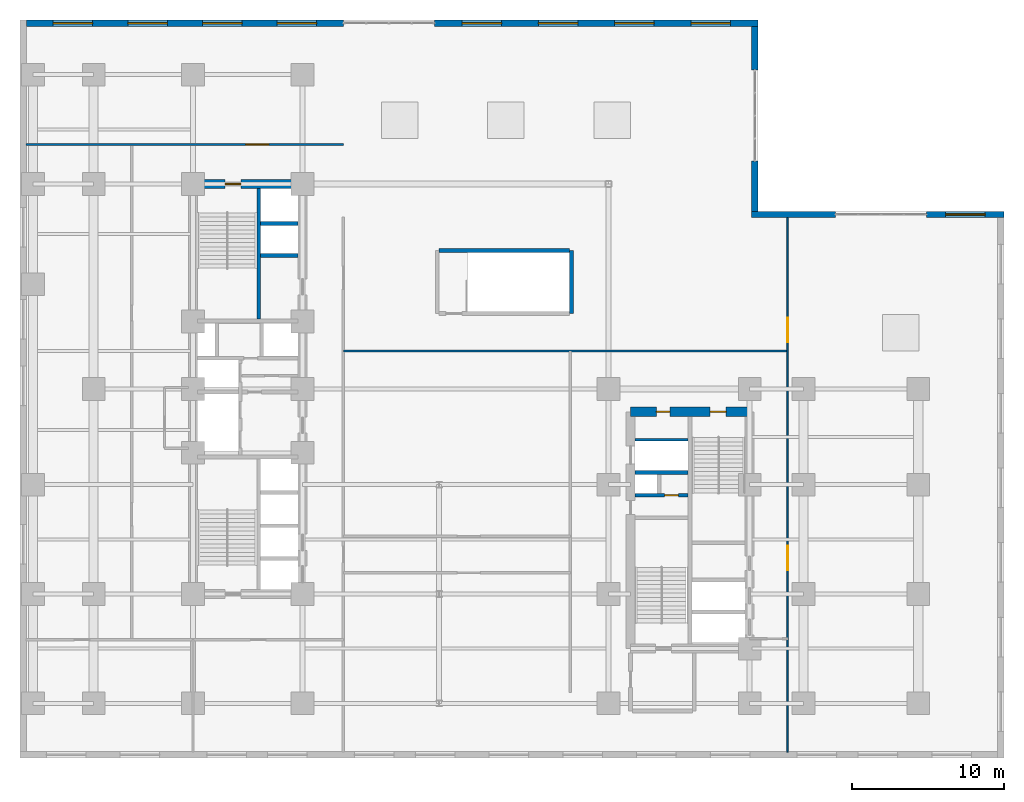
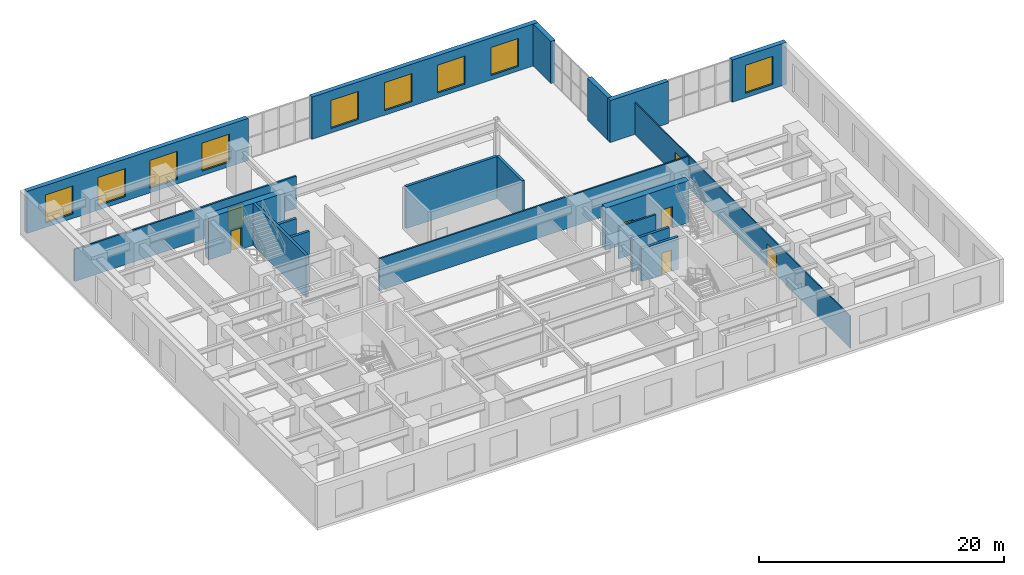
# One storey, part 10 of 14: 19 walls, 9 windows, 7 doors, 16 openings.
"""IFC4 building model written with IfcOpenShell, lengths in metres."""

from ifc_helpers import new_model, entity, si_unit, converted_unit, direction, frame, origin_with_axes, origin_2d_with_axis, place, context, subcontext, project, spatial, polyline, rectangle, outline, extrude, material, layer, layer_set, type_object, element, fill, save


model = new_model("IFC4")

# Units and contexts
model_context = context("Model", 3, precision=1e-05, world=origin_with_axes(), true_north=direction((0.0, 1.0)))
body_context = subcontext(model_context, "Body", "Model", "MODEL_VIEW")
ifc_project = project(units=[si_unit("LENGTHUNIT", "METRE"), si_unit("AREAUNIT", "SQUARE_METRE"), si_unit("VOLUMEUNIT", "CUBIC_METRE"), converted_unit("PLANEANGLEUNIT", "DEGREE", entity("IfcPlaneAngleMeasure", 0.017453292519943295), si_unit("PLANEANGLEUNIT", "RADIAN"), dimensions=[0, 0, 0, 0, 0, 0, 0]), si_unit("MASSUNIT", "GRAM", prefix="KILO"), si_unit("THERMODYNAMICTEMPERATUREUNIT", "KELVIN")], contexts=[model_context])

# Site, building, storey
site_placement = place(None, origin_with_axes())
site = spatial("IfcSite", under=ifc_project, at=site_placement, CompositionType="ELEMENT")
building_placement = place(site_placement, origin_with_axes())
building = spatial("IfcBuilding", under=site, at=building_placement, Name="Varnlund Millrace Tower", CompositionType="ELEMENT")
storey_placement = place(building_placement, frame((0.0, 0.0, 24.3), z_axis=(0.0, 0.0, 1.0), x_axis=(1.0, 0.0, 0.0)))
storey = spatial("IfcBuildingStorey", under=building, at=storey_placement, Name="L05", CompositionType="ELEMENT", Elevation=24.3)

# Wall, opening, door
ifc_material_1 = material(Name="Concrete C80/95", Category="concrete")
ifc_layer_1 = layer(ifc_material_1, 0.6, Name="Concrete C80/95")
ifc_layer_set_1 = layer_set([ifc_layer_1], Name="Concrete C80/95")
wall_type_1 = type_object("IfcWallType", Name="Type-CoreWall-Shear-600-C80", PredefinedType="SHEAR", material=ifc_layer_set_1)
wall_1_placement = place(storey_placement, frame((11.4, 37.8, 0.0), z_axis=(0.0, 0.0, 1.0), x_axis=(1.0, 0.0, 0.0)))
wall_1 = element("IfcWall", 1, at=wall_1_placement, inside=storey, type_object=wall_type_1, Name="Type-CoreWall-Shear-600-C80", PredefinedType="SHEAR", context=body_context, shape_type="SweptSolid", body=[
    extrude(outline(polyline([(0.0, -0.3), (7.2, -0.3), (7.2, 0.3), (0.0, 0.3), (0.0, -0.3)])), origin_with_axes(), (0.0, 0.0, 1.0), 4.2),
])
opening_1_placement = place(wall_1_placement, frame((2.625, 0.0, 0.0), z_axis=(0.0, 0.0, 1.0), x_axis=(1.0, 0.0, 0.0)))
opening_1 = element("IfcOpeningElement", 2, at=opening_1_placement, cuts=wall_1, Name="Opening L05:DR-STA2", PredefinedType="OPENING", context=body_context, shape_type="SweptSolid", body=[
    extrude(rectangle(XDim=1.05, YDim=0.62, at=origin_2d_with_axis()), origin_with_axes(), (0.0, 0.0, 1.0), 2.15),
])
ifc_material_2 = material(Name="Fire-rated hollow steel door", Category="steel")
door_type_1 = type_object("IfcDoorType", Name="Type-FireDoor-Stair-1050X2150", OperationType="NOTDEFINED", PredefinedType="DOOR", material=ifc_material_2)
door_1_placement = place(wall_1_placement, frame((2.625, 0.0, 0.0), z_axis=(0.0, 0.0, 1.0), x_axis=(1.0, 0.0, 0.0)))
door_1 = element("IfcDoor", 3, at=door_1_placement, inside=storey, type_object=door_type_1, Name="Type-FireDoor-Stair-1050X2150", OperationType="SINGLE_SWING_RIGHT", OverallHeight=2.15, OverallWidth=1.05, PredefinedType="DOOR", context=body_context, shape_type="SweptSolid", body=[
    extrude(rectangle(XDim=1.05, YDim=0.09, at=origin_2d_with_axis()), origin_with_axes(), (0.0, 0.0, 1.0), 2.15),
])
fill(opening_1, door_1)

# Wall, openings, doors
wall_2_placement = place(storey_placement, frame((40.2, 22.8, 0.0), z_axis=(0.0, 0.0, 1.0), x_axis=(1.0, 0.0, 0.0)))
wall_2 = element("IfcWall", 4, at=wall_2_placement, inside=storey, type_object=wall_type_1, Name="Type-CoreWall-Shear-600-C80", PredefinedType="SHEAR", context=body_context, shape_type="SweptSolid", body=[
    extrude(outline(polyline([(0.0, -0.3), (7.85, -0.3), (7.85, 0.3), (0.0, 0.3), (0.0, -0.3)])), origin_with_axes(), (0.0, 0.0, 1.0), 4.2),
])
opening_2_placement = place(wall_2_placement, frame((5.775, 0.0, 0.0), z_axis=(0.0, 0.0, 1.0), x_axis=(1.0, 0.0, 0.0)))
opening_2 = element("IfcOpeningElement", 5, at=opening_2_placement, cuts=wall_2, Name="Opening L05:DR-STB2", PredefinedType="OPENING", context=body_context, shape_type="SweptSolid", body=[
    extrude(rectangle(XDim=1.05, YDim=0.62, at=origin_2d_with_axis()), origin_with_axes(), (0.0, 0.0, 1.0), 2.15),
])
opening_3_placement = place(wall_2_placement, frame((2.15, 0.0, 0.0), z_axis=(0.0, 0.0, 1.0), x_axis=(1.0, 0.0, 0.0)))
opening_3 = element("IfcOpeningElement", 6, at=opening_3_placement, cuts=wall_2, Name="Opening L05:DR-CB-NW", PredefinedType="OPENING", context=body_context, shape_type="SweptSolid", body=[
    extrude(rectangle(XDim=0.9, YDim=0.62, at=origin_2d_with_axis()), origin_with_axes(), (0.0, 0.0, 1.0), 2.15),
])
ifc_material_3 = material(Name="Fire-rated hollow steel service closet door", Category="steel")
door_type_2 = type_object("IfcDoorType", Name="Type-FireDoor-Closet-900X2150", OperationType="NOTDEFINED", PredefinedType="DOOR", material=ifc_material_3)
door_2_placement = place(wall_2_placement, frame((2.15, 0.0, 0.0), z_axis=(0.0, 0.0, 1.0), x_axis=(1.0, 0.0, 0.0)))
door_2 = element("IfcDoor", 7, at=door_2_placement, inside=storey, type_object=door_type_2, Name="Type-FireDoor-Closet-900X2150", OperationType="SINGLE_SWING_LEFT", OverallHeight=2.15, OverallWidth=0.9, PredefinedType="DOOR", context=body_context, shape_type="SweptSolid", body=[
    extrude(rectangle(XDim=0.9, YDim=0.09, at=origin_2d_with_axis()), origin_with_axes(), (0.0, 0.0, 1.0), 2.15),
])
fill(opening_3, door_2)
door_3_placement = place(wall_2_placement, frame((5.775, 0.0, 0.0), z_axis=(0.0, 0.0, 1.0), x_axis=(1.0, 0.0, 0.0)))
door_3 = element("IfcDoor", 8, at=door_3_placement, inside=storey, type_object=door_type_1, Name="Type-FireDoor-Stair-1050X2150", OperationType="SINGLE_SWING_RIGHT", OverallHeight=2.15, OverallWidth=1.05, PredefinedType="DOOR", context=body_context, shape_type="SweptSolid", body=[
    extrude(rectangle(XDim=1.05, YDim=0.09, at=origin_2d_with_axis()), origin_with_axes(), (0.0, 0.0, 1.0), 2.15),
])
fill(opening_2, door_3)

# Wall, openings, windows
ifc_material_4 = material(Name="Precast concrete C50/60", Category="concrete")
ifc_layer_2 = layer(ifc_material_4, 0.42, Name="Precast concrete C50/60")
ifc_layer_set_2 = layer_set([ifc_layer_2], Name="Precast concrete C50/60")
wall_type_2 = type_object("IfcWallType", Name="Type-ExtWall-Precast-Pier-420", PredefinedType="SOLIDWALL", material=ifc_layer_set_2)
wall_3_placement = place(storey_placement, frame((0.42, 48.39, 0.0), z_axis=(0.0, 0.0, 1.0), x_axis=(1.0, 0.0, 0.0)))
wall_3 = element("IfcWall", 9, at=wall_3_placement, inside=storey, type_object=wall_type_2, Name="Type-ExtWall-Precast-Pier-420", PredefinedType="SOLIDWALL", context=body_context, shape_type="SweptSolid", body=[
    extrude(outline(polyline([(0.0, -0.21), (20.88, -0.21), (20.88, 0.21), (0.0, 0.21), (0.0, -0.21)])), origin_with_axes(), (0.0, 0.0, 1.0), 4.2),
])
opening_4_placement = place(wall_3_placement, frame((3.06, 0.0, 0.45), z_axis=(0.0, 0.0, 1.0), x_axis=(1.0, 0.0, 0.0)))
opening_4 = element("IfcOpeningElement", 10, at=opening_4_placement, cuts=wall_3, Name="Opening L05:WN-18", PredefinedType="OPENING", context=body_context, shape_type="SweptSolid", body=[
    extrude(rectangle(XDim=2.6, YDim=0.44, at=origin_2d_with_axis()), origin_with_axes(), (0.0, 0.0, 1.0), 2.8),
])
opening_5_placement = place(wall_3_placement, frame((7.98, 0.0, 0.45), z_axis=(0.0, 0.0, 1.0), x_axis=(1.0, 0.0, 0.0)))
opening_5 = element("IfcOpeningElement", 11, at=opening_5_placement, cuts=wall_3, Name="Opening L05:WN-19", PredefinedType="OPENING", context=body_context, shape_type="SweptSolid", body=[
    extrude(rectangle(XDim=2.6, YDim=0.44, at=origin_2d_with_axis()), origin_with_axes(), (0.0, 0.0, 1.0), 2.8),
])
opening_6_placement = place(wall_3_placement, frame((12.9, 0.0, 0.45), z_axis=(0.0, 0.0, 1.0), x_axis=(1.0, 0.0, 0.0)))
opening_6 = element("IfcOpeningElement", 12, at=opening_6_placement, cuts=wall_3, Name="Opening L05:WN-20", PredefinedType="OPENING", context=body_context, shape_type="SweptSolid", body=[
    extrude(rectangle(XDim=2.6, YDim=0.44, at=origin_2d_with_axis()), origin_with_axes(), (0.0, 0.0, 1.0), 2.8),
])
opening_7_placement = place(wall_3_placement, frame((17.82, 0.0, 0.45), z_axis=(0.0, 0.0, 1.0), x_axis=(1.0, 0.0, 0.0)))
opening_7 = element("IfcOpeningElement", 13, at=opening_7_placement, cuts=wall_3, Name="Opening L05:WN-21", PredefinedType="OPENING", context=body_context, shape_type="SweptSolid", body=[
    extrude(rectangle(XDim=2.6, YDim=0.44, at=origin_2d_with_axis()), origin_with_axes(), (0.0, 0.0, 1.0), 2.8),
])
ifc_material_5 = material(Name="Argon low-e triple glazing in thermally broken bronze frame", Category="glass")
window_type = type_object("IfcWindowType", Name="Type-Window-Podium-2600X2800", PartitioningType="SINGLE_PANEL", PredefinedType="WINDOW", material=ifc_material_5)
window_1_placement = place(wall_3_placement, frame((3.06, 0.0, 0.45), z_axis=(0.0, 0.0, 1.0), x_axis=(1.0, 0.0, 0.0)))
window_1 = element("IfcWindow", 14, at=window_1_placement, inside=storey, type_object=window_type, Name="Type-Window-Podium-2600X2800", OverallHeight=2.8, OverallWidth=2.6, PredefinedType="WINDOW", context=body_context, shape_type="SweptSolid", body=[
    extrude(rectangle(XDim=2.6, YDim=0.09, at=origin_2d_with_axis()), origin_with_axes(), (0.0, 0.0, 1.0), 2.8),
])
fill(opening_4, window_1)
window_2_placement = place(wall_3_placement, frame((7.98, 0.0, 0.45), z_axis=(0.0, 0.0, 1.0), x_axis=(1.0, 0.0, 0.0)))
window_2 = element("IfcWindow", 15, at=window_2_placement, inside=storey, type_object=window_type, Name="Type-Window-Podium-2600X2800", OverallHeight=2.8, OverallWidth=2.6, PredefinedType="WINDOW", context=body_context, shape_type="SweptSolid", body=[
    extrude(rectangle(XDim=2.6, YDim=0.09, at=origin_2d_with_axis()), origin_with_axes(), (0.0, 0.0, 1.0), 2.8),
])
fill(opening_5, window_2)
window_3_placement = place(wall_3_placement, frame((12.9, 0.0, 0.45), z_axis=(0.0, 0.0, 1.0), x_axis=(1.0, 0.0, 0.0)))
window_3 = element("IfcWindow", 16, at=window_3_placement, inside=storey, type_object=window_type, Name="Type-Window-Podium-2600X2800", OverallHeight=2.8, OverallWidth=2.6, PredefinedType="WINDOW", context=body_context, shape_type="SweptSolid", body=[
    extrude(rectangle(XDim=2.6, YDim=0.09, at=origin_2d_with_axis()), origin_with_axes(), (0.0, 0.0, 1.0), 2.8),
])
fill(opening_6, window_3)
window_4_placement = place(wall_3_placement, frame((17.82, 0.0, 0.45), z_axis=(0.0, 0.0, 1.0), x_axis=(1.0, 0.0, 0.0)))
window_4 = element("IfcWindow", 17, at=window_4_placement, inside=storey, type_object=window_type, Name="Type-Window-Podium-2600X2800", OverallHeight=2.8, OverallWidth=2.6, PredefinedType="WINDOW", context=body_context, shape_type="SweptSolid", body=[
    extrude(rectangle(XDim=2.6, YDim=0.09, at=origin_2d_with_axis()), origin_with_axes(), (0.0, 0.0, 1.0), 2.8),
])
fill(opening_7, window_4)

wall_4_placement = place(storey_placement, frame((27.3, 48.39, 0.0), z_axis=(0.0, 0.0, 1.0), x_axis=(1.0, 0.0, 0.0)))
wall_4 = element("IfcWall", 18, at=wall_4_placement, inside=storey, type_object=wall_type_2, Name="Type-ExtWall-Precast-Pier-420", PredefinedType="SOLIDWALL", context=body_context, shape_type="SweptSolid", body=[
    extrude(outline(polyline([(0.0, -0.21), (21.3, -0.21), (21.3, 0.21), (0.0, 0.21), (0.0, -0.21)])), origin_with_axes(), (0.0, 0.0, 1.0), 4.2),
])
opening_8_placement = place(wall_4_placement, frame((3.113, 0.0, 0.45), z_axis=(0.0, 0.0, 1.0), x_axis=(1.0, 0.0, 0.0)))
opening_8 = element("IfcOpeningElement", 19, at=opening_8_placement, cuts=wall_4, Name="Opening L05:WN-22", PredefinedType="OPENING", context=body_context, shape_type="SweptSolid", body=[
    extrude(rectangle(XDim=2.6, YDim=0.44, at=origin_2d_with_axis()), origin_with_axes(), (0.0, 0.0, 1.0), 2.8),
])
opening_9_placement = place(wall_4_placement, frame((8.138, 0.0, 0.45), z_axis=(0.0, 0.0, 1.0), x_axis=(1.0, 0.0, 0.0)))
opening_9 = element("IfcOpeningElement", 20, at=opening_9_placement, cuts=wall_4, Name="Opening L05:WN-23", PredefinedType="OPENING", context=body_context, shape_type="SweptSolid", body=[
    extrude(rectangle(XDim=2.6, YDim=0.44, at=origin_2d_with_axis()), origin_with_axes(), (0.0, 0.0, 1.0), 2.8),
])
opening_10_placement = place(wall_4_placement, frame((13.162, 0.0, 0.45), z_axis=(0.0, 0.0, 1.0), x_axis=(1.0, 0.0, 0.0)))
opening_10 = element("IfcOpeningElement", 21, at=opening_10_placement, cuts=wall_4, Name="Opening L05:WN-24", PredefinedType="OPENING", context=body_context, shape_type="SweptSolid", body=[
    extrude(rectangle(XDim=2.6, YDim=0.44, at=origin_2d_with_axis()), origin_with_axes(), (0.0, 0.0, 1.0), 2.8),
])
opening_11_placement = place(wall_4_placement, frame((18.188, 0.0, 0.45), z_axis=(0.0, 0.0, 1.0), x_axis=(1.0, 0.0, 0.0)))
opening_11 = element("IfcOpeningElement", 22, at=opening_11_placement, cuts=wall_4, Name="Opening L05:WN-25", PredefinedType="OPENING", context=body_context, shape_type="SweptSolid", body=[
    extrude(rectangle(XDim=2.6, YDim=0.44, at=origin_2d_with_axis()), origin_with_axes(), (0.0, 0.0, 1.0), 2.8),
])
window_5_placement = place(wall_4_placement, frame((3.113, 0.0, 0.45), z_axis=(0.0, 0.0, 1.0), x_axis=(1.0, 0.0, 0.0)))
window_5 = element("IfcWindow", 23, at=window_5_placement, inside=storey, type_object=window_type, Name="Type-Window-Podium-2600X2800", OverallHeight=2.8, OverallWidth=2.6, PredefinedType="WINDOW", context=body_context, shape_type="SweptSolid", body=[
    extrude(rectangle(XDim=2.6, YDim=0.09, at=origin_2d_with_axis()), origin_with_axes(), (0.0, 0.0, 1.0), 2.8),
])
fill(opening_8, window_5)
window_6_placement = place(wall_4_placement, frame((8.138, 0.0, 0.45), z_axis=(0.0, 0.0, 1.0), x_axis=(1.0, 0.0, 0.0)))
window_6 = element("IfcWindow", 24, at=window_6_placement, inside=storey, type_object=window_type, Name="Type-Window-Podium-2600X2800", OverallHeight=2.8, OverallWidth=2.6, PredefinedType="WINDOW", context=body_context, shape_type="SweptSolid", body=[
    extrude(rectangle(XDim=2.6, YDim=0.09, at=origin_2d_with_axis()), origin_with_axes(), (0.0, 0.0, 1.0), 2.8),
])
fill(opening_9, window_6)
window_7_placement = place(wall_4_placement, frame((13.162, 0.0, 0.45), z_axis=(0.0, 0.0, 1.0), x_axis=(1.0, 0.0, 0.0)))
window_7 = element("IfcWindow", 25, at=window_7_placement, inside=storey, type_object=window_type, Name="Type-Window-Podium-2600X2800", OverallHeight=2.8, OverallWidth=2.6, PredefinedType="WINDOW", context=body_context, shape_type="SweptSolid", body=[
    extrude(rectangle(XDim=2.6, YDim=0.09, at=origin_2d_with_axis()), origin_with_axes(), (0.0, 0.0, 1.0), 2.8),
])
fill(opening_10, window_7)
window_8_placement = place(wall_4_placement, frame((18.188, 0.0, 0.45), z_axis=(0.0, 0.0, 1.0), x_axis=(1.0, 0.0, 0.0)))
window_8 = element("IfcWindow", 26, at=window_8_placement, inside=storey, type_object=window_type, Name="Type-Window-Podium-2600X2800", OverallHeight=2.8, OverallWidth=2.6, PredefinedType="WINDOW", context=body_context, shape_type="SweptSolid", body=[
    extrude(rectangle(XDim=2.6, YDim=0.09, at=origin_2d_with_axis()), origin_with_axes(), (0.0, 0.0, 1.0), 2.8),
])
fill(opening_11, window_8)

# Walls
wall_5_placement = place(storey_placement, frame((48.39, 48.18, 0.0), z_axis=(0.0, 0.0, 1.0), x_axis=(0.0, -1.0, 0.0)))
element("IfcWall", 27, at=wall_5_placement, inside=storey, type_object=wall_type_2, Name="Type-ExtWall-Precast-Pier-420", PredefinedType="SOLIDWALL", context=body_context, shape_type="SweptSolid", body=[
    extrude(outline(polyline([(0.0, -0.21), (2.88, -0.21), (2.88, 0.21), (0.0, 0.21), (0.0, -0.21)])), origin_with_axes(), (0.0, 0.0, 1.0), 4.2),
])
wall_6_placement = place(storey_placement, frame((48.39, 39.3, 0.0), z_axis=(0.0, 0.0, 1.0), x_axis=(0.0, -1.0, 0.0)))
element("IfcWall", 28, at=wall_6_placement, inside=storey, type_object=wall_type_2, Name="Type-ExtWall-Precast-Pier-420", PredefinedType="SOLIDWALL", context=body_context, shape_type="SweptSolid", body=[
    extrude(outline(polyline([(0.0, -0.21), (3.3, -0.21), (3.3, 0.21), (0.0, 0.21), (0.0, -0.21)])), origin_with_axes(), (0.0, 0.0, 1.0), 4.2),
])
wall_7_placement = place(storey_placement, frame((48.18, 35.79, 0.0), z_axis=(0.0, 0.0, 1.0), x_axis=(1.0, 0.0, 0.0)))
element("IfcWall", 29, at=wall_7_placement, inside=storey, type_object=wall_type_2, Name="Type-ExtWall-Precast-Pier-420", PredefinedType="SOLIDWALL", context=body_context, shape_type="SweptSolid", body=[
    extrude(outline(polyline([(0.0, -0.21), (5.52, -0.21), (5.52, 0.21), (0.0, 0.21), (0.0, -0.21)])), origin_with_axes(), (0.0, 0.0, 1.0), 4.2),
])

# Wall, opening, window
wall_8_placement = place(storey_placement, frame((59.7, 35.79, 0.0), z_axis=(0.0, 0.0, 1.0), x_axis=(1.0, 0.0, 0.0)))
wall_8 = element("IfcWall", 30, at=wall_8_placement, inside=storey, type_object=wall_type_2, Name="Type-ExtWall-Precast-Pier-420", PredefinedType="SOLIDWALL", context=body_context, shape_type="SweptSolid", body=[
    extrude(outline(polyline([(0.0, -0.21), (5.1, -0.21), (5.1, 0.21), (0.0, 0.21), (0.0, -0.21)])), origin_with_axes(), (0.0, 0.0, 1.0), 4.2),
])
opening_12_placement = place(wall_8_placement, frame((2.55, 0.0, 0.45), z_axis=(0.0, 0.0, 1.0), x_axis=(1.0, 0.0, 0.0)))
opening_12 = element("IfcOpeningElement", 31, at=opening_12_placement, cuts=wall_8, Name="Opening L05:WN-26", PredefinedType="OPENING", context=body_context, shape_type="SweptSolid", body=[
    extrude(rectangle(XDim=2.6, YDim=0.44, at=origin_2d_with_axis()), origin_with_axes(), (0.0, 0.0, 1.0), 2.8),
])
window_9_placement = place(wall_8_placement, frame((2.55, 0.0, 0.45), z_axis=(0.0, 0.0, 1.0), x_axis=(1.0, 0.0, 0.0)))
window_9 = element("IfcWindow", 32, at=window_9_placement, inside=storey, type_object=window_type, Name="Type-Window-Podium-2600X2800", OverallHeight=2.8, OverallWidth=2.6, PredefinedType="WINDOW", context=body_context, shape_type="SweptSolid", body=[
    extrude(rectangle(XDim=2.6, YDim=0.09, at=origin_2d_with_axis()), origin_with_axes(), (0.0, 0.0, 1.0), 2.8),
])
fill(opening_12, window_9)

# Wall
ifc_material_6 = material(Name="Fire-rated gypsum board on cold-formed steel framing", Category="steel")
ifc_layer_3 = layer(ifc_material_6, 0.16, Name="Fire-rated gypsum board on cold-formed steel framing")
ifc_layer_set_3 = layer_set([ifc_layer_3], Name="Fire-rated gypsum board on cold-formed steel framing")
wall_type_3 = type_object("IfcWallType", Name="Type-Partition-Corridor-160", PredefinedType="PARTITIONING", material=ifc_layer_set_3)
wall_9_placement = place(storey_placement, frame((40.5, 20.96, 0.0), z_axis=(0.0, 0.0, 1.0), x_axis=(1.0, 0.0, 0.0)))
element("IfcWall", 33, at=wall_9_placement, inside=storey, type_object=wall_type_3, Name="Type-Partition-Corridor-160", PredefinedType="PARTITIONING", context=body_context, shape_type="SweptSolid", body=[
    extrude(outline(polyline([(0.0, -0.08), (3.5, -0.08), (3.5, 0.08), (0.0, 0.08), (0.0, -0.08)])), origin_with_axes(), (0.0, 0.0, 1.0), 3.2),
])

# Wall, opening, door
wall_10_placement = place(storey_placement, frame((0.38, 40.4, 0.0), z_axis=(0.0, 0.0, 1.0), x_axis=(1.0, 0.0, 0.0)))
wall_10 = element("IfcWall", 34, at=wall_10_placement, inside=storey, type_object=wall_type_3, Name="Type-Partition-Corridor-160", PredefinedType="PARTITIONING", context=body_context, shape_type="SweptSolid", body=[
    extrude(outline(polyline([(0.0, -0.08), (20.92, -0.08), (20.92, 0.08), (0.0, 0.08), (0.0, -0.08)])), origin_with_axes(), (0.0, 0.0, 1.0), 3.2),
])
opening_13_placement = place(wall_10_placement, frame((15.25, 0.0, 0.0), z_axis=(0.0, 0.0, 1.0), x_axis=(1.0, 0.0, 0.0)))
opening_13 = element("IfcOpeningElement", 35, at=opening_13_placement, cuts=wall_10, Name="Opening L05:DR-POD-NW", PredefinedType="OPENING", context=body_context, shape_type="SweptSolid", body=[
    extrude(rectangle(XDim=1.5, YDim=0.18, at=origin_2d_with_axis()), origin_with_axes(), (0.0, 0.0, 1.0), 2.2),
])
ifc_material_7 = material(Name="Architectural bronze and acoustic glass double door", Category="glass")
door_type_3 = type_object("IfcDoorType", Name="Type-IntDoor-SuitePair-1500X2200", OperationType="NOTDEFINED", PredefinedType="DOOR", material=ifc_material_7)
door_4_placement = place(wall_10_placement, frame((15.25, 0.0, 0.0), z_axis=(0.0, 0.0, 1.0), x_axis=(1.0, 0.0, 0.0)))
door_4 = element("IfcDoor", 36, at=door_4_placement, inside=storey, type_object=door_type_3, Name="Type-IntDoor-SuitePair-1500X2200", OperationType="DOUBLE_DOOR_SINGLE_SWING", OverallHeight=2.2, OverallWidth=1.5, PredefinedType="DOOR", context=body_context, shape_type="SweptSolid", body=[
    extrude(rectangle(XDim=1.5, YDim=0.09, at=origin_2d_with_axis()), origin_with_axes(), (0.0, 0.0, 1.0), 2.2),
])
fill(opening_13, door_4)

# Wall
ifc_material_8 = material(Name="Acoustic STC-50 gypsum board partition", Category="gypsum")
ifc_layer_4 = layer(ifc_material_8, 0.15, Name="Acoustic STC-50 gypsum board partition")
ifc_layer_set_4 = layer_set([ifc_layer_4], Name="Acoustic STC-50 gypsum board partition")
wall_type_4 = type_object("IfcWallType", Name="Type-Partition-Demising-150", PredefinedType="PARTITIONING", material=ifc_layer_set_4)
wall_11_placement = place(storey_placement, frame((21.3, 26.8, 0.0), z_axis=(0.0, 0.0, 1.0), x_axis=(1.0, 0.0, 0.0)))
element("IfcWall", 37, at=wall_11_placement, inside=storey, type_object=wall_type_4, Name="Type-Partition-Demising-150", PredefinedType="PARTITIONING", context=body_context, shape_type="SweptSolid", body=[
    extrude(outline(polyline([(0.0, -0.075), (29.25, -0.075), (29.25, 0.075), (0.0, 0.075), (0.0, -0.075)])), origin_with_axes(), (0.0, 0.0, 1.0), 3.2),
])

# Wall, openings, doors
ifc_material_9 = material(Name="Architectural bronze and acoustic glass office front", Category="glass")
ifc_layer_5 = layer(ifc_material_9, 0.1, Name="Architectural bronze and acoustic glass office front")
ifc_layer_set_5 = layer_set([ifc_layer_5], Name="Architectural bronze and acoustic glass office front")
wall_type_5 = type_object("IfcWallType", Name="Type-Partition-Glazed-100", PredefinedType="PARTITIONING", material=ifc_layer_set_5)
wall_12_placement = place(storey_placement, frame((50.55, 0.38, 0.0), z_axis=(0.0, 0.0, 1.0), x_axis=(0.0, 1.0, 0.0)))
wall_12 = element("IfcWall", 38, at=wall_12_placement, inside=storey, type_object=wall_type_5, Name="Type-Partition-Glazed-100", PredefinedType="PARTITIONING", context=body_context, shape_type="SweptSolid", body=[
    extrude(outline(polyline([(0.0, -0.05), (35.24, -0.05), (35.24, 0.05), (0.0, 0.05), (0.0, -0.05)])), origin_with_axes(), (0.0, 0.0, 1.0), 3.2),
])
opening_14_placement = place(wall_12_placement, frame((12.8, 0.0, 0.0), z_axis=(0.0, 0.0, 1.0), x_axis=(1.0, 0.0, 0.0)))
opening_14 = element("IfcOpeningElement", 39, at=opening_14_placement, cuts=wall_12, Name="Opening L05:DR-POD-RV1", PredefinedType="OPENING", context=body_context, shape_type="SweptSolid", body=[
    extrude(rectangle(XDim=1.6, YDim=0.12, at=origin_2d_with_axis()), origin_with_axes(), (0.0, 0.0, 1.0), 2.2),
])
opening_15_placement = place(wall_12_placement, frame((27.8, 0.0, 0.0), z_axis=(0.0, 0.0, 1.0), x_axis=(1.0, 0.0, 0.0)))
opening_15 = element("IfcOpeningElement", 40, at=opening_15_placement, cuts=wall_12, Name="Opening L05:DR-POD-RV2", PredefinedType="OPENING", context=body_context, shape_type="SweptSolid", body=[
    extrude(rectangle(XDim=1.6, YDim=0.12, at=origin_2d_with_axis()), origin_with_axes(), (0.0, 0.0, 1.0), 2.2),
])
ifc_material_10 = material(Name="Architectural bronze concourse double door")
door_type_4 = type_object("IfcDoorType", Name="Type-IntDoor-SuitePair-1600X2200", OperationType="NOTDEFINED", PredefinedType="DOOR", material=ifc_material_10)
door_5_placement = place(wall_12_placement, frame((12.8, 0.0, 0.0), z_axis=(0.0, 0.0, 1.0), x_axis=(1.0, 0.0, 0.0)))
door_5 = element("IfcDoor", 41, at=door_5_placement, inside=storey, type_object=door_type_4, Name="Type-IntDoor-SuitePair-1600X2200", OperationType="DOUBLE_DOOR_SINGLE_SWING", OverallHeight=2.2, OverallWidth=1.6, PredefinedType="DOOR", context=body_context, shape_type="SweptSolid", body=[
    extrude(rectangle(XDim=1.6, YDim=0.06, at=origin_2d_with_axis()), origin_with_axes(), (0.0, 0.0, 1.0), 2.2),
])
fill(opening_14, door_5)
door_6_placement = place(wall_12_placement, frame((27.8, 0.0, 0.0), z_axis=(0.0, 0.0, 1.0), x_axis=(1.0, 0.0, 0.0)))
door_6 = element("IfcDoor", 42, at=door_6_placement, inside=storey, type_object=door_type_4, Name="Type-IntDoor-SuitePair-1600X2200", OperationType="DOUBLE_DOOR_SINGLE_SWING", OverallHeight=2.2, OverallWidth=1.6, PredefinedType="DOOR", context=body_context, shape_type="SweptSolid", body=[
    extrude(rectangle(XDim=1.6, YDim=0.06, at=origin_2d_with_axis()), origin_with_axes(), (0.0, 0.0, 1.0), 2.2),
])
fill(opening_15, door_6)

# Wall, opening, door
ifc_material_11 = material(Name="Concrete C60/75", Category="concrete")
ifc_layer_6 = layer(ifc_material_11, 0.25, Name="Concrete C60/75")
ifc_layer_set_6 = layer_set([ifc_layer_6], Name="Concrete C60/75")
wall_type_6 = type_object("IfcWallType", Name="Type-ShaftWall-Fire-250", PredefinedType="SOLIDWALL", material=ifc_layer_set_6)
wall_13_placement = place(storey_placement, frame((40.5, 17.3, 0.0), z_axis=(0.0, 0.0, 1.0), x_axis=(1.0, 0.0, 0.0)))
wall_13 = element("IfcWall", 43, at=wall_13_placement, inside=storey, type_object=wall_type_6, Name="Type-ShaftWall-Fire-250", PredefinedType="SOLIDWALL", context=body_context, shape_type="SweptSolid", body=[
    extrude(outline(polyline([(0.0, -0.125), (3.5, -0.125), (3.5, 0.125), (0.0, 0.125), (0.0, -0.125)])), origin_with_axes(), (0.0, 0.0, 1.0), 3.24),
])
opening_16_placement = place(wall_13_placement, frame((2.4, 0.0, 0.0), z_axis=(0.0, 0.0, 1.0), x_axis=(1.0, 0.0, 0.0)))
opening_16 = element("IfcOpeningElement", 44, at=opening_16_placement, cuts=wall_13, Name="Opening L05:DR-CB-ELC", PredefinedType="OPENING", context=body_context, shape_type="SweptSolid", body=[
    extrude(rectangle(XDim=0.9, YDim=0.27, at=origin_2d_with_axis()), origin_with_axes(), (0.0, 0.0, 1.0), 2.15),
])
door_7_placement = place(wall_13_placement, frame((2.4, 0.0, 0.0), z_axis=(0.0, 0.0, 1.0), x_axis=(1.0, 0.0, 0.0)))
door_7 = element("IfcDoor", 45, at=door_7_placement, inside=storey, type_object=door_type_2, Name="Type-FireDoor-Closet-900X2150", OperationType="SINGLE_SWING_LEFT", OverallHeight=2.15, OverallWidth=0.9, PredefinedType="DOOR", context=body_context, shape_type="SweptSolid", body=[
    extrude(rectangle(XDim=0.9, YDim=0.09, at=origin_2d_with_axis()), origin_with_axes(), (0.0, 0.0, 1.0), 2.15),
])
fill(opening_16, door_7)

# Walls
wall_14_placement = place(storey_placement, frame((40.5, 18.8, 0.0), z_axis=(0.0, 0.0, 1.0), x_axis=(1.0, 0.0, 0.0)))
element("IfcWall", 46, at=wall_14_placement, inside=storey, type_object=wall_type_6, Name="Type-ShaftWall-Fire-250", PredefinedType="SOLIDWALL", context=body_context, shape_type="SweptSolid", body=[
    extrude(outline(polyline([(0.0, -0.125), (3.5, -0.125), (3.5, 0.125), (0.0, 0.125), (0.0, -0.125)])), origin_with_axes(), (0.0, 0.0, 1.0), 3.24),
])
for number, where, z_axis, x_axis, name in (
    (47, (15.84, 33.1, 0.0), (0.0, 0.0, 1.0), (1.0, 0.0, 0.0), "Type-ShaftWall-Fire-250"),
    (48, (15.84, 35.2, 0.0), (0.0, 0.0, 1.0), (1.0, 0.0, 0.0), "Type-ShaftWall-Fire-250"),
):
    element("IfcWall", number, at=place(storey_placement, frame(where, z_axis=z_axis, x_axis=x_axis)), inside=storey, type_object=wall_type_6, Name=name, PredefinedType="SOLIDWALL", context=body_context, shape_type="SweptSolid", body=[
        extrude(outline(polyline([(0.0, -0.125), (2.46, -0.125), (2.46, 0.125), (0.0, 0.125), (0.0, -0.125)])), origin_with_axes(), (0.0, 0.0, 1.0), 3.2),
    ])
wall_type_7 = type_object("IfcWallType", Name="Type-StairWall-Shear-250", PredefinedType="SHEAR", material=ifc_layer_set_6)
wall_15_placement = place(storey_placement, frame((15.725, 28.9, 0.0), z_axis=(0.0, 0.0, 1.0), x_axis=(0.0, 1.0, 0.0)))
element("IfcWall", 49, at=wall_15_placement, inside=storey, type_object=wall_type_7, Name="Type-StairWall-Shear-250", PredefinedType="SHEAR", context=body_context, shape_type="SweptSolid", body=[
    extrude(outline(polyline([(0.0, -0.125), (8.6, -0.125), (8.6, 0.125), (0.0, 0.125), (0.0, -0.125)])), origin_with_axes(), (0.0, 0.0, 1.0), 4.2),
])
wall_16_placement = place(storey_placement, frame((36.325, 29.275, 0.0), z_axis=(0.0, 0.0, 1.0), x_axis=(0.0, 1.0, 0.0)))
element("IfcWall", 50, at=wall_16_placement, inside=storey, type_object=wall_type_7, Name="Type-StairWall-Shear-250", PredefinedType="SHEAR", context=body_context, shape_type="SweptSolid", body=[
    extrude(outline(polyline([(0.0, -0.125), (4.15, -0.125), (4.15, 0.125), (0.0, 0.125), (0.0, -0.125)])), origin_with_axes(), (0.0, 0.0, 1.0), 4.2),
])
wall_17_placement = place(storey_placement, frame((27.6, 33.425, 0.0), z_axis=(0.0, 0.0, 1.0), x_axis=(1.0, 0.0, 0.0)))
element("IfcWall", 51, at=wall_17_placement, inside=storey, type_object=wall_type_7, Name="Type-StairWall-Shear-250", PredefinedType="SHEAR", context=body_context, shape_type="SweptSolid", body=[
    extrude(outline(polyline([(0.0, -0.125), (8.6, -0.125), (8.6, 0.125), (0.0, 0.125), (0.0, -0.125)])), origin_with_axes(), (0.0, 0.0, 1.0), 4.2),
])

save(model, "model.ifc")
